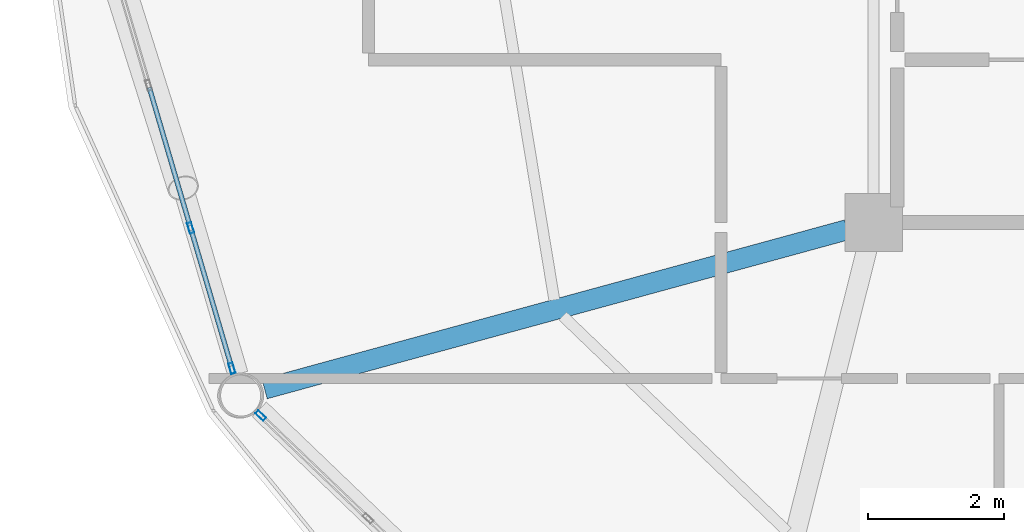
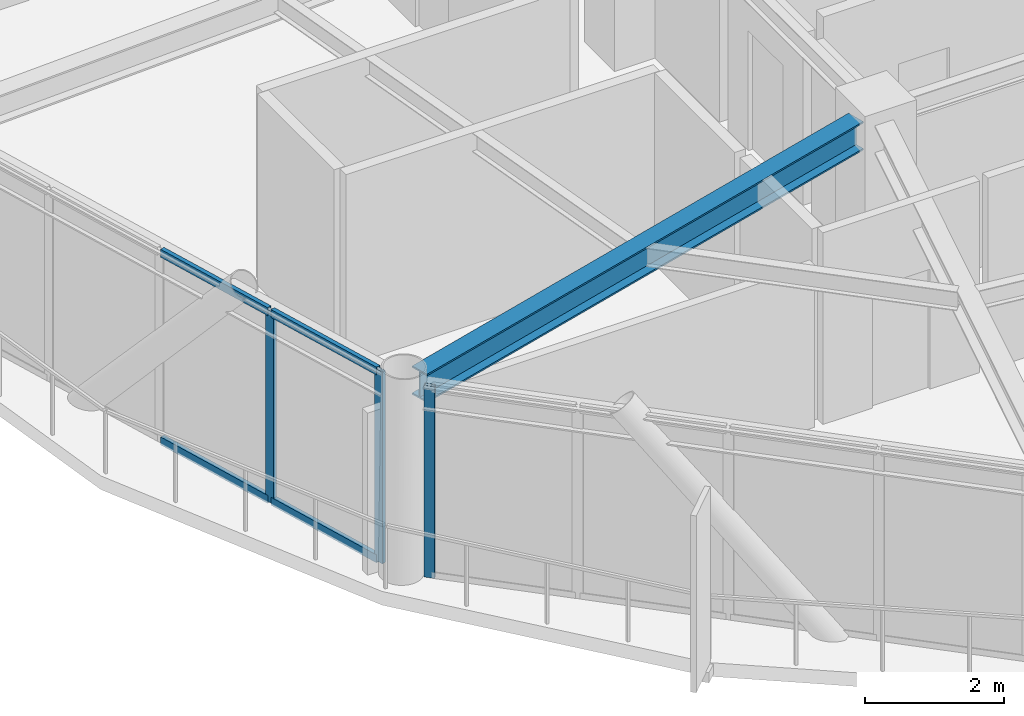
# One storey, part 4 of 28: 7 members, 1 beam, 2 elements without a shape of their own.
"""IFC4 building model written with IfcOpenShell, lengths in metres."""

from ifc_helpers import new_model, si_unit, direction, frame, origin, origin_2d, place, context, subcontext, project, spatial, hollow_rectangle, i_section, extrude, material, layer, layer_set, material_profile, profile_set, type_object, element, aggregate, save


model = new_model("IFC4")

# Units and contexts
model_context = context("Model", 3, precision=1e-05, world=origin(), true_north=direction((0.0, 1.0)))
body_context = subcontext(model_context, "Body", "Model", "MODEL_VIEW")
ifc_project = project(units=[si_unit("LENGTHUNIT", "METRE"), si_unit("AREAUNIT", "SQUARE_METRE"), si_unit("VOLUMEUNIT", "CUBIC_METRE"), si_unit("PLANEANGLEUNIT", "RADIAN"), si_unit("MASSUNIT", "GRAM", prefix="KILO")], contexts=[model_context])

# Site, building, storey
site_placement = place(None, origin())
site = spatial("IfcSite", under=ifc_project, at=site_placement, CompositionType="ELEMENT")
building_placement = place(site_placement, origin())
building = spatial("IfcBuilding", under=site, at=building_placement, Name="Varnakorn Sky Granary", CompositionType="ELEMENT")
storey_placement = place(building_placement, frame((0.0, 0.0, 207.60009765625)))
storey = spatial("IfcBuildingStorey", under=building, at=storey_placement, Name="L52", CompositionType="ELEMENT", Elevation=207.60009765625)

# Beam
ifc_material_1 = material(Name="Steel S355JR", Category="steel")
ifc_material_profile_1 = material_profile(ifc_material_1, i_section(OverallWidth=0.300048828125, OverallDepth=0.5, WebThickness=0.014404296875, FlangeThickness=0.028076171875, at=origin_2d()), Name="HE 500 B")
ifc_profile_set_1 = profile_set([ifc_material_profile_1], Name="Steel S355JR")
beam_type = type_object("IfcBeamType", Name="BM-RAD-Z4", PredefinedType="BEAM", material=ifc_profile_set_1)
beam_placement = place(storey_placement, frame((-2.74072265625, -6.706787109375, 3.10986328125), z_axis=(-0.964630877837, -0.263604380698, 0.0), x_axis=(0.263604380698, -0.964630877837, 0.0)))
element("IfcBeam", 1, at=beam_placement, inside=storey, type_object=beam_type, Name="Radial Floor Girder RG08 L52", PredefinedType="BEAM", context=body_context, shape_type="SweptSolid", body=[
    extrude(i_section(OverallWidth=0.300048828125, OverallDepth=0.5, WebThickness=0.014404296875, FlangeThickness=0.028076171875, at=origin_2d()), origin(), (0.0, 0.0, 1.0), 8.90771484375),
])

# Curtain wall, members
ifc_material_2 = material(Name="Anodised Bronze Aluminium Alloy 6063-T6", Category="aluminium")
ifc_layer = layer(ifc_material_2, 0.169921875, Name="Anodised Bronze Aluminium Alloy 6063-T6")
ifc_layer_set = layer_set([ifc_layer], Name="Anodised Bronze Aluminium Alloy 6063-T6")
curtain_wall_type = type_object("IfcCurtainWallType", Name="CW-LAB-1", PredefinedType="USERDEFINED", material=ifc_layer_set)
curtain_wall_1_placement = place(storey_placement, origin())
curtain_wall_1 = element("IfcCurtainWall", 2, at=curtain_wall_1_placement, inside=storey, type_object=curtain_wall_type, Name="Unitised Curtain Wall CW5 CW-L52-B07", ObjectType="CURTAIN WALL", PredefinedType="USERDEFINED")
ifc_material_profile_2 = material_profile(ifc_material_2, hollow_rectangle(XDim=0.06494140625, YDim=0.159912109375, WallThickness=0.00341796875, at=origin_2d()), Name="ALU MULL 65x160")
ifc_profile_set_2 = profile_set([ifc_material_profile_2], Name="Anodised Bronze Aluminium Alloy 6063-T6")
member_type_1 = type_object("IfcMemberType", Name="CW-LAB-1-MULL", PredefinedType="MULLION", material=ifc_profile_set_2)
member_1_placement = place(storey_placement, frame((-11.814697265625, -8.749755859375, 0.0), z_axis=(0.0, 0.0, 1.0), x_axis=(-0.959309517364, -0.282356600585, 0.0)))
member_1 = element("IfcMember", 3, at=member_1_placement, type_object=member_type_1, Name="CW5 mullion 1", PredefinedType="MULLION", context=body_context, shape_type="SweptSolid", body=[
    extrude(hollow_rectangle(XDim=0.06494140625, YDim=0.159912109375, WallThickness=0.00341796875, at=origin_2d()), origin(), (0.0, 0.0, 1.0), 3.35986328125),
])
member_2_placement = place(storey_placement, frame((-12.424072265625, -6.67919921875, 0.0), z_axis=(0.0, 0.0, 1.0), x_axis=(-0.959309517364, -0.282356600585, 0.0)))
member_2 = element("IfcMember", 4, at=member_2_placement, type_object=member_type_1, Name="CW5 mullion 2", PredefinedType="MULLION", context=body_context, shape_type="SweptSolid", body=[
    extrude(hollow_rectangle(XDim=0.06494140625, YDim=0.159912109375, WallThickness=0.00341796875, at=origin_2d()), origin(), (0.0, 0.0, 1.0), 3.35986328125),
])

# Curtain wall, member
curtain_wall_2_placement = place(storey_placement, origin())
curtain_wall_2 = element("IfcCurtainWall", 5, at=curtain_wall_2_placement, inside=storey, type_object=curtain_wall_type, Name="Unitised Curtain Wall CW5 CW-L52-B08", ObjectType="CURTAIN WALL", PredefinedType="USERDEFINED")
member_3_placement = place(storey_placement, frame((-11.390380859375, -9.447265625, 0.0), z_axis=(0.0, 0.0, 1.0), x_axis=(-0.691923166337, -0.721971143389, 0.0)))
member_3 = element("IfcMember", 6, at=member_3_placement, type_object=member_type_1, Name="CW5 mullion 5", PredefinedType="MULLION", context=body_context, shape_type="SweptSolid", body=[
    extrude(hollow_rectangle(XDim=0.06494140625, YDim=0.159912109375, WallThickness=0.00341796875, at=origin_2d()), origin(), (0.0, 0.0, 1.0), 3.35986328125),
])
aggregate(curtain_wall_2, [member_3])

# Member
ifc_material_profile_3 = material_profile(ifc_material_2, hollow_rectangle(XDim=0.070068359375, YDim=0.139892578125, WallThickness=0.00341796875, at=origin_2d()), Name="ALU TRAN 70x140")
ifc_profile_set_3 = profile_set([ifc_material_profile_3], Name="Anodised Bronze Aluminium Alloy 6063-T6")
member_type_2 = type_object("IfcMemberType", Name="CW-LAB-1-TRAN", PredefinedType="USERDEFINED", material=ifc_profile_set_3)
member_4_placement = place(storey_placement, frame((-11.823974609375, -8.718505859375, 0.034912109375), z_axis=(-0.282368382469, 0.959306049487, 0.0), x_axis=(-0.959306049487, -0.282368382469, 0.0)))
member_4 = element("IfcMember", 7, at=member_4_placement, type_object=member_type_2, Name="CW5 transom 1.1", ObjectType="TRANSOM", PredefinedType="USERDEFINED", context=body_context, shape_type="SweptSolid", body=[
    extrude(hollow_rectangle(XDim=0.070068359375, YDim=0.139892578125, WallThickness=0.00341796875, at=origin_2d()), origin(), (0.0, 0.0, 1.0), 2.09326171875),
])

member_5_placement = place(storey_placement, frame((-11.823974609375, -8.718505859375, 3.324951171875), z_axis=(-0.282368382469, 0.959306049487, 0.0), x_axis=(-0.959306049487, -0.282368382469, 0.0)))
member_5 = element("IfcMember", 8, at=member_5_placement, type_object=member_type_2, Name="CW5 transom 1.2", ObjectType="TRANSOM", PredefinedType="USERDEFINED", context=body_context, shape_type="SweptSolid", body=[
    extrude(hollow_rectangle(XDim=0.070068359375, YDim=0.139892578125, WallThickness=0.00341796875, at=origin_2d()), origin(), (0.0, 0.0, 1.0), 2.09326171875),
])

member_6_placement = place(storey_placement, frame((-12.433349609375, -6.64794921875, 0.034912109375), z_axis=(-0.282296897208, 0.959327088029, 0.0), x_axis=(-0.959327088029, -0.282296897208, 0.0)))
member_6 = element("IfcMember", 9, at=member_6_placement, type_object=member_type_2, Name="CW5 transom 2.1", ObjectType="TRANSOM", PredefinedType="USERDEFINED", context=body_context, shape_type="SweptSolid", body=[
    extrude(hollow_rectangle(XDim=0.070068359375, YDim=0.139892578125, WallThickness=0.00341796875, at=origin_2d()), origin(), (0.0, 0.0, 1.0), 2.125732421875),
])

member_7_placement = place(storey_placement, frame((-12.433349609375, -6.64794921875, 3.324951171875), z_axis=(-0.282296897208, 0.959327088029, 0.0), x_axis=(-0.959327088029, -0.282296897208, 0.0)))
member_7 = element("IfcMember", 10, at=member_7_placement, type_object=member_type_2, Name="CW5 transom 2.2", ObjectType="TRANSOM", PredefinedType="USERDEFINED", context=body_context, shape_type="SweptSolid", body=[
    extrude(hollow_rectangle(XDim=0.070068359375, YDim=0.139892578125, WallThickness=0.00341796875, at=origin_2d()), origin(), (0.0, 0.0, 1.0), 2.125732421875),
])

aggregate(curtain_wall_1, [member_1, member_2, member_4, member_5, member_6, member_7])

save(model, "model.ifc")
